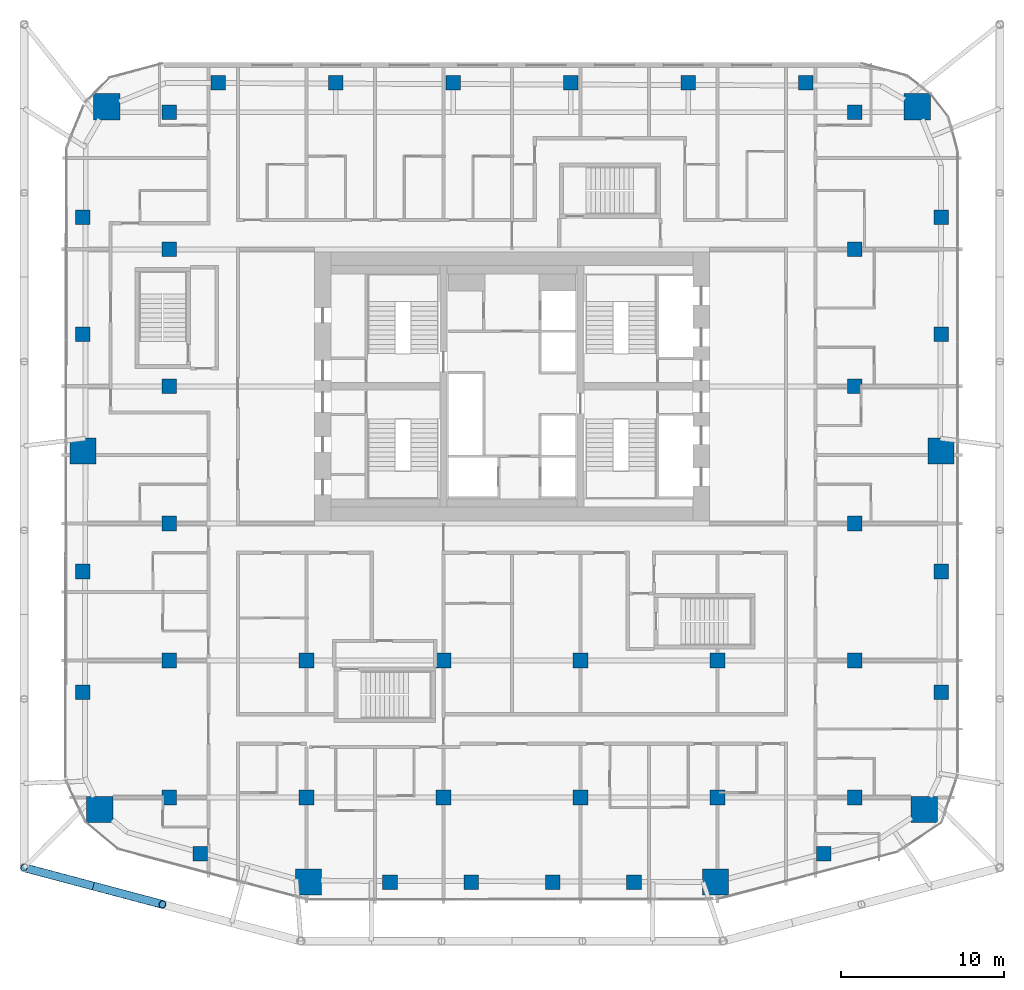
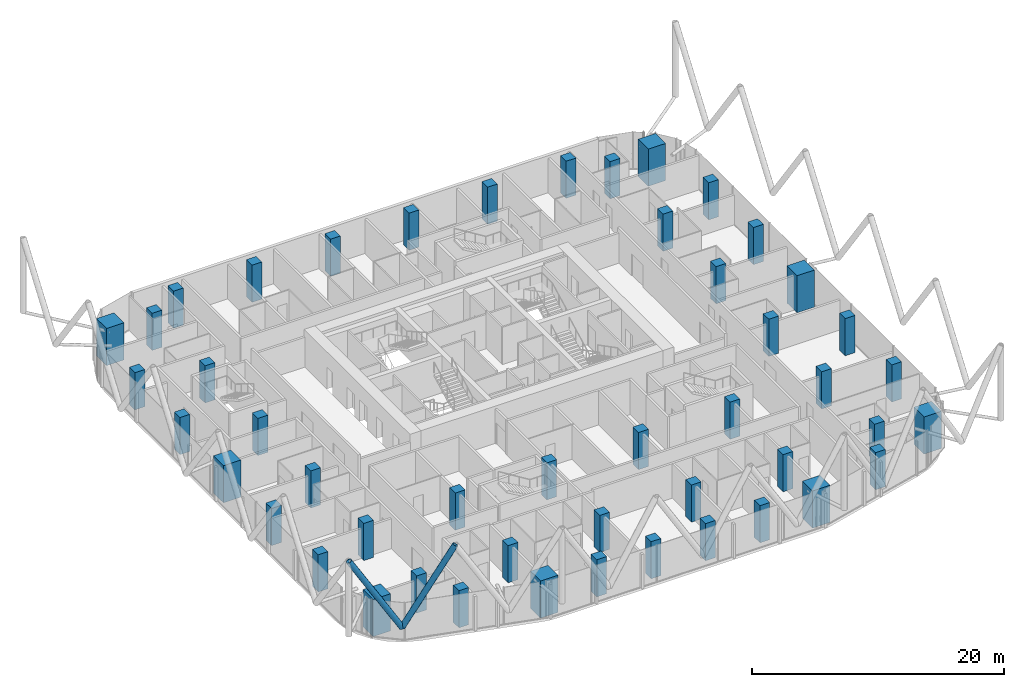
# One storey, part 1 of 36: 48 columns, 2 members.
"""IFC4 building model written with IfcOpenShell, lengths in metres."""

import ifcopenshell
import ifcopenshell.guid

model = None  # the IFC model being written
_history = None  # IfcOwnerHistory: only IFC2X3 demands one
_inside = {}  # id of a spatial element -> (the spatial element, [elements in it])
_under = {}  # id of a project, library or spatial element -> (it, [spatial elements below it])
_declared = {}  # id of a project -> (the project, [libraries it declares])
_typed = {}  # id of a type object -> (the type object, [elements of that type])
_made_of = {}  # id of a material, layer set ... -> (it, [elements and type objects made of it])


def new_model(schema):
    """Start an empty IFC model of exactly this schema.

    Asked for "IFC4X3", IfcOpenShell would pick the latest addendum, in which some entities
    have other attributes; the version numbers below select the first issue.
    IFC2X3 requires an IfcOwnerHistory on every rooted entity: one is made here for all.
    """
    global model, _history
    if schema == "IFC4X3":
        model = ifcopenshell.file(schema_version=(4, 3, 0, 0))
    else:
        model = ifcopenshell.file(schema=schema)
    _inside.clear()
    _under.clear()
    _declared.clear()
    _typed.clear()
    _made_of.clear()
    _history = None
    if model.schema == "IFC2X3":
        org = make("IfcOrganization", Name="unknown")
        user = make(
            "IfcPersonAndOrganization",
            ThePerson=make("IfcPerson", FamilyName="unknown"),
            TheOrganization=org,
        )
        app = make(
            "IfcApplication",
            ApplicationDeveloper=org,
            Version="unknown",
            ApplicationFullName="unknown",
            ApplicationIdentifier="unknown",
        )
        _history = make(
            "IfcOwnerHistory",
            OwningUser=user,
            OwningApplication=app,
            ChangeAction="ADDED",
            CreationDate=0,
        )
    return model


def make(cls, **values):
    """One entity of the class cls with the attributes given. An attribute that is None is left unset."""
    return model.create_entity(
        cls, **{name: value for name, value in values.items() if value is not None}
    )


def rooted(cls, **values):
    """An entity with a GlobalId (a new one), such as an element, a storey or a relation."""
    return make(cls, GlobalId=ifcopenshell.guid.new(), OwnerHistory=_history, **values)


def si_unit(unit_type, name, prefix=None):
    """IfcSIUnit, for example si_unit("LENGTHUNIT", "METRE", prefix="MILLI")."""
    return make("IfcSIUnit", UnitType=unit_type, Prefix=prefix, Name=name)


def assignment(units):
    """IfcUnitAssignment: the units of a project."""
    return None if units is None else make("IfcUnitAssignment", Units=units)


def point(xyz):
    """IfcCartesianPoint."""
    return None if xyz is None else make("IfcCartesianPoint", Coordinates=xyz)


def direction(xyz):
    """IfcDirection."""
    return None if xyz is None else make("IfcDirection", DirectionRatios=xyz)


def frame(location, z_axis=None, x_axis=None):
    """IfcAxis2Placement3D, a coordinate frame: its origin and axes. An axis left out is left unset."""
    return make(
        "IfcAxis2Placement3D",
        Location=point(location),
        Axis=direction(z_axis),
        RefDirection=direction(x_axis),
    )


def frame_2d(location, x_axis=None):
    """IfcAxis2Placement2D, a coordinate frame in the plane: its origin and x axis."""
    return make(
        "IfcAxis2Placement2D", Location=point(location), RefDirection=direction(x_axis)
    )


def origin():
    """The frame at (0, 0, 0) with its axes left unset."""
    return frame((0.0, 0.0, 0.0))


def origin_2d():
    """The frame at (0, 0) in the plane with its x axis left unset."""
    return frame_2d((0.0, 0.0))


def place(relative_to, where):
    """IfcLocalPlacement: puts the frame where relative to a parent placement (None: the world)."""
    return make(
        "IfcLocalPlacement", PlacementRelTo=relative_to, RelativePlacement=where
    )


def context(
    kind, dimensions, precision=None, world=None, true_north=None, identifier=None
):
    """IfcGeometricRepresentationContext, for example the 3D "Model" context."""
    return make(
        "IfcGeometricRepresentationContext",
        ContextIdentifier=identifier,
        ContextType=kind,
        CoordinateSpaceDimension=dimensions,
        Precision=precision,
        WorldCoordinateSystem=world,
        TrueNorth=true_north,
    )


def subcontext(parent, identifier, kind, view, scale=None):
    """IfcGeometricRepresentationSubContext, for example "Body" below "Model"."""
    return make(
        "IfcGeometricRepresentationSubContext",
        ContextIdentifier=identifier,
        ContextType=kind,
        ParentContext=parent,
        TargetScale=scale,
        TargetView=view,
    )


def project(units=None, contexts=None):
    """IfcProject with its units and contexts."""
    return rooted(
        "IfcProject",
        Name="project",
        RepresentationContexts=contexts,
        UnitsInContext=assignment(units),
    )


def spatial(cls, under=None, at=None, **own):
    """A site, building, storey or space (cls), placed at a placement, below another one or the project."""
    s = rooted(cls, ObjectPlacement=at, **own)
    if under is not None:
        _under.setdefault(under.id(), (under, []))[1].append(s)
    return s


def profile(cls, at=None, kind="AREA", **sizes):
    """A parametric profile (cls). Its sizes go by their IFC names, for example OverallWidth=200.0."""
    return make(cls, ProfileType=kind, Position=at, **sizes)


def rectangle(**sizes):
    """IfcRectangleProfileDef."""
    return profile("IfcRectangleProfileDef", **sizes)


def hollow_circle(**sizes):
    """IfcCircleHollowProfileDef."""
    return profile("IfcCircleHollowProfileDef", **sizes)


def extrude(swept, where, along, depth):
    """IfcExtrudedAreaSolid: the profile swept, set in the frame where, extruded along a direction by depth."""
    return make(
        "IfcExtrudedAreaSolid",
        SweptArea=swept,
        Position=where,
        ExtrudedDirection=direction(along),
        Depth=depth,
    )


def shape(context_of_items, identifier, shape_type, items):
    """IfcShapeRepresentation: the items that make up one representation, for example the "Body"."""
    return make(
        "IfcShapeRepresentation",
        ContextOfItems=context_of_items,
        RepresentationIdentifier=identifier,
        RepresentationType=shape_type,
        Items=items,
    )


def material(Name=None, Category=None):
    """IfcMaterial."""
    return make("IfcMaterial", Name=Name, Category=Category)


def material_profile(
    of_material, cross_section, Name=None, Category=None, Priority=None
):
    """IfcMaterialProfile: a cross section and its material."""
    return make(
        "IfcMaterialProfile",
        Name=Name,
        Material=of_material,
        Profile=cross_section,
        Priority=Priority,
        Category=Category,
    )


def profile_set(profiles, Name=None, composite=None):
    """IfcMaterialProfileSet."""
    return make(
        "IfcMaterialProfileSet",
        Name=Name,
        MaterialProfiles=profiles,
        CompositeProfile=composite,
    )


def made_of(thing, what):
    """Note that an element or type object is made of a material, layer set ...; save() writes the relation."""
    if what is not None:
        _made_of.setdefault(what.id(), (what, []))[1].append(thing)
    return thing


def type_object(cls, material=None, **own):
    """A type object (cls), such as IfcWallType, which elements share."""
    return made_of(rooted(cls, **own), material)


def element(
    cls,
    number,
    at=None,
    inside=None,
    cuts=None,
    type_object=None,
    material=None,
    context=None,
    identifier="Body",
    shape_type=None,
    held_by="IfcProductDefinitionShape",
    body=None,
    shapes=None,
    **own,
):
    """One element of the class cls, such as IfcWall. Its Tag is "e" and its number.

    at: its placement. inside: the storey or other place that contains it. cuts: it is an
    opening in that element (IfcRelVoidsElement). A single representation is given by context,
    identifier, shape_type and body (its items); several are given by shapes. held_by: the class
    of the entity that holds the representations. save() writes the other relations.
    """
    e = rooted(cls, Tag="e%d" % number, ObjectPlacement=at, **own)
    if body is not None:
        shapes = [shape(context, identifier, shape_type, body)]
    if shapes is not None:
        e.Representation = make(held_by, Representations=shapes)
    if inside is not None:
        _inside.setdefault(inside.id(), (inside, []))[1].append(e)
    if cuts is not None:
        rooted(
            "IfcRelVoidsElement", RelatingBuildingElement=cuts, RelatedOpeningElement=e
        )
    if type_object is not None:
        _typed.setdefault(type_object.id(), (type_object, []))[1].append(e)
    return made_of(e, material)


def aggregate(whole, parts):
    """IfcRelAggregates: a whole, such as a stair, and the parts it consists of."""
    return rooted("IfcRelAggregates", RelatingObject=whole, RelatedObjects=parts)


def save(model, path):
    """Write the relations noted so far, then the file.

    IfcRelAggregates (storeys below a building ...), IfcRelContainedInSpatialStructure (elements
    in a storey), IfcRelDefinesByType, IfcRelAssociatesMaterial and IfcRelDeclares: one each for
    every whole, place, type object, material and project.
    """
    for whole, parts in _under.values():
        aggregate(whole, parts)
    for where, things in _inside.values():
        rooted(
            "IfcRelContainedInSpatialStructure",
            RelatedElements=things,
            RelatingStructure=where,
        )
    for kind, things in _typed.values():
        rooted("IfcRelDefinesByType", RelatedObjects=things, RelatingType=kind)
    for what, things in _made_of.values():
        rooted("IfcRelAssociatesMaterial", RelatedObjects=things, RelatingMaterial=what)
    for by, libraries in _declared.values():
        rooted("IfcRelDeclares", RelatingContext=by, RelatedDefinitions=libraries)
    model.write(path)


model = new_model("IFC4")

# Units and contexts
model_context = context("Model", 3, precision=1e-05, world=origin(), true_north=direction((0.0, 1.0)))
body_context = subcontext(model_context, "Body", "Model", "MODEL_VIEW")
ifc_project = project(units=[si_unit("LENGTHUNIT", "METRE"), si_unit("AREAUNIT", "SQUARE_METRE"), si_unit("VOLUMEUNIT", "CUBIC_METRE"), si_unit("PLANEANGLEUNIT", "RADIAN"), si_unit("MASSUNIT", "GRAM", prefix="KILO")], contexts=[model_context])

# Site, building, storey
site_placement = place(None, origin())
site = spatial("IfcSite", under=ifc_project, at=site_placement, CompositionType="ELEMENT")
building_placement = place(site_placement, origin())
building = spatial("IfcBuilding", under=site, at=building_placement, Name="Marenta Gate Hotel Tower", CompositionType="ELEMENT")
storey_placement = place(building_placement, frame((0.0, 0.0, 115.699951171875)))
storey = spatial("IfcBuildingStorey", under=building, at=storey_placement, Name="L25", CompositionType="ELEMENT", Elevation=115.699951171875)

# Columns
ifc_material_1 = material(Name="Concrete C70", Category="concrete")
ifc_material_profile_1 = material_profile(ifc_material_1, rectangle(XDim=0.89990234375, YDim=0.89990234375, at=origin_2d()), Name="900 x 900")
ifc_profile_set_1 = profile_set([ifc_material_profile_1], Name="Concrete C70")
column_type_1 = type_object("IfcColumnType", Name="Edge column 900 x 900 C70", PredefinedType="COLUMN", material=ifc_profile_set_1)
for number, where, z_axis, x_axis, name in (
    (1, (-26.300048828125, -10.351806640625, 0.0), (0.0, 0.0, 1.0), (1.0, 0.0, 0.0), "L25-EC-SW-W-1"),
    (2, (-26.300048828125, -2.950927734375, 0.0), (0.0, 0.0, 1.0), (1.0, 0.0, 0.0), "L25-EC-SW-W-2"),
    (3, (-26.300048828125, 11.603271484375, 0.0), (0.0, 0.0, 1.0), (1.0, 0.0, 0.0), "L25-EC-W-NW-1"),
    (4, (-26.300048828125, 18.75634765625, 0.0), (0.0, 0.0, 1.0), (1.0, 0.0, 0.0), "L25-EC-W-NW-2"),
    (5, (-18.0068359375, 27.0, 0.0), (0.0, 0.0, 1.0), (1.0, 0.0, 0.0), "L25-EC-NW-NE-1"),
    (6, (-10.80419921875, 27.0, 0.0), (0.0, 0.0, 1.0), (1.0, 0.0, 0.0), "L25-EC-NW-NE-2"),
    (7, (-3.601318359375, 27.0, 0.0), (0.0, 0.0, 1.0), (1.0, 0.0, 0.0), "L25-EC-NW-NE-3"),
    (8, (3.601318359375, 27.0, 0.0), (0.0, 0.0, 1.0), (1.0, 0.0, 0.0), "L25-EC-NW-NE-4"),
    (9, (10.80419921875, 27.0, 0.0), (0.0, 0.0, 1.0), (1.0, 0.0, 0.0), "L25-EC-NW-NE-5"),
    (10, (18.0068359375, 27.0, 0.0), (0.0, 0.0, 1.0), (1.0, 0.0, 0.0), "L25-EC-NW-NE-6"),
    (11, (26.300048828125, 18.75634765625, 0.0), (0.0, 0.0, 1.0), (1.0, 0.0, 0.0), "L25-EC-NE-E-1"),
    (12, (26.300048828125, 11.603271484375, 0.0), (0.0, 0.0, 1.0), (1.0, 0.0, 0.0), "L25-EC-NE-E-2"),
    (13, (26.300048828125, -2.950927734375, 0.0), (0.0, 0.0, 1.0), (1.0, 0.0, 0.0), "L25-EC-E-SE-1"),
    (14, (26.300048828125, -10.351806640625, 0.0), (0.0, 0.0, 1.0), (1.0, 0.0, 0.0), "L25-EC-E-SE-2"),
    (15, (19.106689453125, -20.239013671875, 0.0), (0.0, 0.0, 1.0), (1.0, 0.0, 0.0), "L25-EC-SE-SKE-1"),
    (16, (7.47998046875, -22.0, 0.0), (0.0, 0.0, 1.0), (1.0, 0.0, 0.0), "L25-EC-SKE-SKW-1"),
    (17, (2.493408203125, -22.0, 0.0), (0.0, 0.0, 1.0), (1.0, 0.0, 0.0), "L25-EC-SKE-SKW-2"),
    (18, (-2.493408203125, -22.0, 0.0), (0.0, 0.0, 1.0), (1.0, 0.0, 0.0), "L25-EC-SKE-SKW-3"),
    (19, (-7.47998046875, -22.0, 0.0), (0.0, 0.0, 1.0), (1.0, 0.0, 0.0), "L25-EC-SKE-SKW-4"),
    (20, (-19.106689453125, -20.239013671875, 0.0), (0.0, 0.0, 1.0), (1.0, 0.0, 0.0), "L25-EC-SKW-SW-1"),
):
    element("IfcColumn", number, at=place(storey_placement, frame(where, z_axis=z_axis, x_axis=x_axis)), inside=storey, type_object=column_type_1, Name=name, PredefinedType="COLUMN", context=body_context, shape_type="SweptSolid", body=[
        extrude(rectangle(XDim=0.89990234375, YDim=0.89990234375, at=origin_2d()), origin(), (0.0, 0.0, 1.0), 3.60009765625),
    ])
ifc_material_2 = material(Name="Concrete C70", Category="concrete")
ifc_material_profile_2 = material_profile(ifc_material_2, rectangle(XDim=0.89990234375, YDim=0.89990234375, at=origin_2d()), Name="900 x 900")
ifc_profile_set_2 = profile_set([ifc_material_profile_2], Name="Concrete C70")
column_type_2 = type_object("IfcColumnType", Name="Interior column 900 x 900 C70", PredefinedType="COLUMN", material=ifc_profile_set_2)
for number, where, z_axis, x_axis, name in (
    (21, (-21.0, -16.800048828125, 0.0), (0.0, 0.0, 1.0), (1.0, 0.0, 0.0), "L25-IC-4D"),
    (22, (-21.0, -8.39990234375, 0.0), (0.0, 0.0, 1.0), (1.0, 0.0, 0.0), "L25-IC-4E"),
    (23, (-21.0, 0.0, 0.0), (0.0, 0.0, 1.0), (1.0, 0.0, 0.0), "L25-IC-4F"),
    (24, (-21.0, 8.39990234375, 0.0), (0.0, 0.0, 1.0), (1.0, 0.0, 0.0), "L25-IC-4G"),
    (25, (-21.0, 16.800048828125, 0.0), (0.0, 0.0, 1.0), (1.0, 0.0, 0.0), "L25-IC-4H"),
    (26, (-21.0, 25.199951171875, 0.0), (0.0, 0.0, 1.0), (1.0, 0.0, 0.0), "L25-IC-4I"),
    (27, (-12.60009765625, -16.800048828125, 0.0), (0.0, 0.0, 1.0), (1.0, 0.0, 0.0), "L25-IC-5D"),
    (28, (-12.60009765625, -8.39990234375, 0.0), (0.0, 0.0, 1.0), (1.0, 0.0, 0.0), "L25-IC-5E"),
    (29, (-4.199951171875, -16.800048828125, 0.0), (0.0, 0.0, 1.0), (1.0, 0.0, 0.0), "L25-IC-6D"),
    (30, (-4.199951171875, -8.39990234375, 0.0), (0.0, 0.0, 1.0), (1.0, 0.0, 0.0), "L25-IC-6E"),
    (31, (4.199951171875, -16.800048828125, 0.0), (0.0, 0.0, 1.0), (1.0, 0.0, 0.0), "L25-IC-7D"),
    (32, (4.199951171875, -8.39990234375, 0.0), (0.0, 0.0, 1.0), (1.0, 0.0, 0.0), "L25-IC-7E"),
    (33, (12.60009765625, -16.800048828125, 0.0), (0.0, 0.0, 1.0), (1.0, 0.0, 0.0), "L25-IC-8D"),
    (34, (12.60009765625, -8.39990234375, 0.0), (0.0, 0.0, 1.0), (1.0, 0.0, 0.0), "L25-IC-8E"),
    (35, (21.0, -16.800048828125, 0.0), (0.0, 0.0, 1.0), (1.0, 0.0, 0.0), "L25-IC-9D"),
    (36, (21.0, -8.39990234375, 0.0), (0.0, 0.0, 1.0), (1.0, 0.0, 0.0), "L25-IC-9E"),
    (37, (21.0, 0.0, 0.0), (0.0, 0.0, 1.0), (1.0, 0.0, 0.0), "L25-IC-9F"),
    (38, (21.0, 8.39990234375, 0.0), (0.0, 0.0, 1.0), (1.0, 0.0, 0.0), "L25-IC-9G"),
    (39, (21.0, 16.800048828125, 0.0), (0.0, 0.0, 1.0), (1.0, 0.0, 0.0), "L25-IC-9H"),
    (40, (21.0, 25.199951171875, 0.0), (0.0, 0.0, 1.0), (1.0, 0.0, 0.0), "L25-IC-9I"),
):
    element("IfcColumn", number, at=place(storey_placement, frame(where, z_axis=z_axis, x_axis=x_axis)), inside=storey, type_object=column_type_2, Name=name, PredefinedType="COLUMN", context=body_context, shape_type="SweptSolid", body=[
        extrude(rectangle(XDim=0.89990234375, YDim=0.89990234375, at=origin_2d()), origin(), (0.0, 0.0, 1.0), 3.60009765625),
    ])
ifc_material_3 = material(Name="Concrete C70", Category="concrete")
ifc_material_profile_3 = material_profile(ifc_material_3, rectangle(XDim=1.60009765625, YDim=1.60009765625, at=origin_2d()), Name="1600 x 1600")
ifc_profile_set_3 = profile_set([ifc_material_profile_3], Name="Concrete C70")
column_type_3 = type_object("IfcColumnType", Name="Mega column 1600 x 1600 C70", PredefinedType="COLUMN", material=ifc_profile_set_3)
for number, where, z_axis, x_axis, name in (
    (41, (-25.262939453125, -17.532958984375, 0.0), (0.0, 0.0, 1.0), (1.0, 0.0, 0.0), "L25-MC-SW"),
    (42, (-12.46630859375, -21.974853515625, 0.0), (0.0, 0.0, 1.0), (1.0, 0.0, 0.0), "L25-MC-SKW"),
    (43, (12.46630859375, -21.974853515625, 0.0), (0.0, 0.0, 1.0), (1.0, 0.0, 0.0), "L25-MC-SKE"),
    (44, (25.262939453125, -17.532958984375, 0.0), (0.0, 0.0, 1.0), (1.0, 0.0, 0.0), "L25-MC-SE"),
    (45, (26.300048828125, 4.449951171875, 0.0), (0.0, 0.0, 1.0), (1.0, 0.0, 0.0), "L25-MC-E"),
    (46, (24.83544921875, 25.535400390625, 0.0), (0.0, 0.0, 1.0), (1.0, 0.0, 0.0), "L25-MC-NE"),
    (47, (-24.83544921875, 25.535400390625, 0.0), (0.0, 0.0, 1.0), (1.0, 0.0, 0.0), "L25-MC-NW"),
    (48, (-26.300048828125, 4.449951171875, 0.0), (0.0, 0.0, 1.0), (1.0, 0.0, 0.0), "L25-MC-W"),
):
    element("IfcColumn", number, at=place(storey_placement, frame(where, z_axis=z_axis, x_axis=x_axis)), inside=storey, type_object=column_type_3, Name=name, PredefinedType="COLUMN", context=body_context, shape_type="SweptSolid", body=[
        extrude(rectangle(XDim=1.60009765625, YDim=1.60009765625, at=origin_2d()), origin(), (0.0, 0.0, 1.0), 3.60009765625),
    ])

# Members
ifc_material_4 = material(Name="Steel S355J2W", Category="steel")
ifc_material_profile_4 = material_profile(ifc_material_4, hollow_circle(Radius=0.25390625, WallThickness=0.0400390625, at=origin_2d()), Name="CHS 508x40")
ifc_profile_set_4 = profile_set([ifc_material_profile_4], Name="Steel S355J2W")
member_type = type_object("IfcMemberType", Name="Diagrid diagonal Z2 CHS 508x40", PredefinedType="BRACE", material=ifc_profile_set_4)
member_1_placement = place(storey_placement, frame((-25.659912109375, -22.22509765625, 3.14013671875), z_axis=(0.502945650976, -0.133431605717, 0.853956485285), x_axis=(0.256429393985, 0.966562965306, 0.0)))
element("IfcMember", 49, at=member_1_placement, inside=storey, type_object=member_type, Name="L25-DG-23", PredefinedType="BRACE", context=body_context, shape_type="SweptSolid", body=[
    extrude(hollow_circle(Radius=0.25390625, WallThickness=0.0400390625, at=origin_2d()), origin(), (0.0, 0.0, 1.0), 8.431396484375),
])
member_2_placement = place(storey_placement, frame((-25.659912109375, -22.22509765625, 3.14013671875), z_axis=(-0.502902385412, 0.133435492139, 0.853981358218), x_axis=(-0.256456982503, -0.966555645644, 0.0)))
element("IfcMember", 50, at=member_2_placement, inside=storey, type_object=member_type, Name="L25-DG-24", PredefinedType="BRACE", context=body_context, shape_type="SweptSolid", body=[
    extrude(hollow_circle(Radius=0.25390625, WallThickness=0.0400390625, at=origin_2d()), origin(), (0.0, 0.0, 1.0), 8.43115234375),
])

save(model, "model.ifc")
